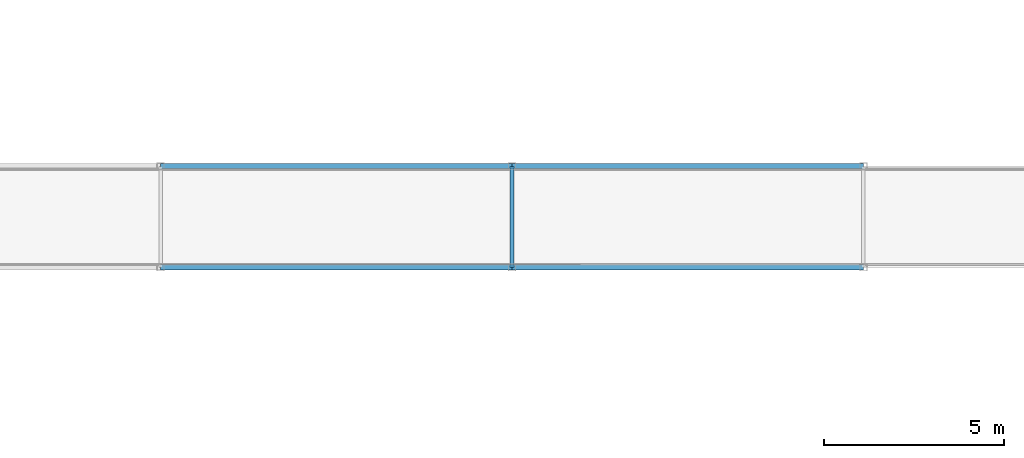
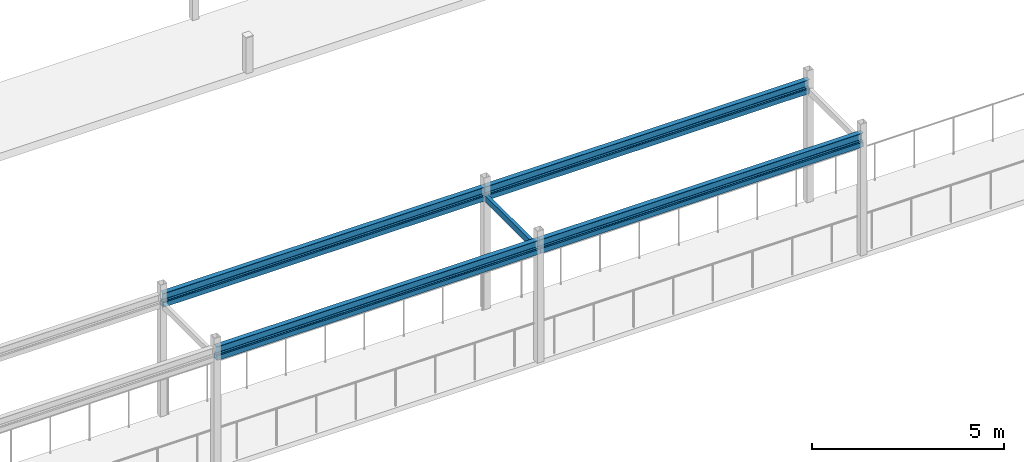
# One storey, part 59 of 147: 5 members, 4 beams.
"""IFC4 building model written with IfcOpenShell, lengths in metres."""

from ifc_helpers import new_model, si_unit, direction, frame, origin, origin_2d, place, context, subcontext, project, spatial, hollow_rectangle, i_section, extrude, material, material_profile, profile_set, type_object, element, save


model = new_model("IFC4")

# Units and contexts
model_context = context("Model", 3, precision=1e-05, world=origin(), true_north=direction((0.0, 1.0)))
body_context = subcontext(model_context, "Body", "Model", "MODEL_VIEW")
ifc_project = project(units=[si_unit("LENGTHUNIT", "METRE"), si_unit("AREAUNIT", "SQUARE_METRE"), si_unit("VOLUMEUNIT", "CUBIC_METRE"), si_unit("PLANEANGLEUNIT", "RADIAN"), si_unit("MASSUNIT", "GRAM", prefix="KILO")], contexts=[model_context])

# Site, building, storey
site_placement = place(None, origin())
site = spatial("IfcSite", under=ifc_project, at=site_placement, CompositionType="ELEMENT")
building_placement = place(site_placement, origin())
building = spatial("IfcBuilding", under=site, at=building_placement, Name="Karori Crest Natural Sciences Institute", CompositionType="ELEMENT")
storey_placement = place(building_placement, frame((0.0, 0.0, 9.10009765625)))
storey = spatial("IfcBuildingStorey", under=building, at=storey_placement, Name="L02", CompositionType="ELEMENT", Elevation=9.10009765625)

# Beams
ifc_material_1 = material(Name="Structural steel AS/NZS 3679.1 Grade 350", Category="steel")
ifc_material_profile_1 = material_profile(ifc_material_1, i_section(OverallWidth=0.14599609375, OverallDepth=0.251953125, WebThickness=0.006103515625, FlangeThickness=0.008544921875, FilletRadius=0.009033203125, at=origin_2d()), Name="250UB31.4")
ifc_profile_set_1 = profile_set([ifc_material_profile_1], Name="Structural steel AS/NZS 3679.1 Grade 350")
beam_type = type_object("IfcBeamType", Name="BT-12", PredefinedType="BEAM", material=ifc_profile_set_1)
for number, where, z_axis, x_axis, name in (
    (1, (61.530029296875, 41.199951171875, 3.760009765625), (1.0, 0.0, 0.0), (0.0, 1.0, 0.0), "Beam B-0738"),
    (2, (61.530029296875, 44.0, 3.760009765625), (1.0, 0.0, 0.0), (0.0, 1.0, 0.0), "Beam B-0739"),
    (3, (71.27001953125, 41.199951171875, 3.760009765625), (1.0, 0.0, 0.0), (0.0, 1.0, 0.0), "Beam B-0740"),
    (4, (71.27001953125, 44.0, 3.760009765625), (1.0, 0.0, 0.0), (0.0, 1.0, 0.0), "Beam B-0741"),
):
    element("IfcBeam", number, at=place(storey_placement, frame(where, z_axis=z_axis, x_axis=x_axis)), inside=storey, type_object=beam_type, Name=name, PredefinedType="BEAM", context=body_context, shape_type="SweptSolid", body=[
        extrude(i_section(OverallWidth=0.14599609375, OverallDepth=0.251953125, WebThickness=0.006103515625, FlangeThickness=0.008544921875, FilletRadius=0.009033203125, at=origin_2d()), origin(), (0.0, 0.0, 1.0), 9.739990234375),
    ])

# Members
ifc_material_2 = material(Name="Hollow structural steel AS/NZS 1163 Grade C350", Category="steel")
ifc_material_profile_2 = material_profile(ifc_material_2, hollow_rectangle(XDim=0.14990234375, YDim=0.14990234375, WallThickness=0.009033203125, at=origin_2d()), Name="SHS150x150x9")
ifc_profile_set_2 = profile_set([ifc_material_profile_2], Name="Hollow structural steel AS/NZS 1163 Grade C350")
member_type_1 = type_object("IfcMemberType", Name="MT-13", PredefinedType="CHORD", material=ifc_profile_set_2)
for number, where, z_axis, x_axis, name in (
    (5, (61.530029296875, 41.199951171875, 3.52001953125), (1.0, 0.0, 0.0), (0.0, 1.0, 0.0), "Member M-0211"),
    (6, (61.530029296875, 44.0, 3.52001953125), (1.0, 0.0, 0.0), (0.0, 1.0, 0.0), "Member M-0212"),
    (7, (71.27001953125, 41.199951171875, 3.52001953125), (1.0, 0.0, 0.0), (0.0, 1.0, 0.0), "Member M-0213"),
    (8, (71.27001953125, 44.0, 3.52001953125), (1.0, 0.0, 0.0), (0.0, 1.0, 0.0), "Member M-0214"),
):
    element("IfcMember", number, at=place(storey_placement, frame(where, z_axis=z_axis, x_axis=x_axis)), inside=storey, type_object=member_type_1, Name=name, PredefinedType="CHORD", context=body_context, shape_type="SweptSolid", body=[
        extrude(hollow_rectangle(XDim=0.14990234375, YDim=0.14990234375, WallThickness=0.009033203125, at=origin_2d()), origin(), (0.0, 0.0, 1.0), 9.739990234375),
    ])
ifc_material_profile_3 = material_profile(ifc_material_2, hollow_rectangle(XDim=0.10009765625, YDim=0.199951171875, WallThickness=0.008056640625, at=origin_2d()), Name="RHS200x100x8")
ifc_profile_set_3 = profile_set([ifc_material_profile_3], Name="Hollow structural steel AS/NZS 1163 Grade C350")
member_type_2 = type_object("IfcMemberType", Name="MT-14", PredefinedType="CHORD", material=ifc_profile_set_3)
member_placement = place(storey_placement, frame((71.27001953125, 41.199951171875, 3.52001953125), z_axis=(0.0, 1.0, 0.0), x_axis=(-1.0, 0.0, 0.0)))
element("IfcMember", 9, at=member_placement, inside=storey, type_object=member_type_2, Name="Member M-0217", PredefinedType="CHORD", context=body_context, shape_type="SweptSolid", body=[
    extrude(hollow_rectangle(XDim=0.10009765625, YDim=0.199951171875, WallThickness=0.008056640625, at=origin_2d()), origin(), (0.0, 0.0, 1.0), 2.800048828125),
])

save(model, "model.ifc")
